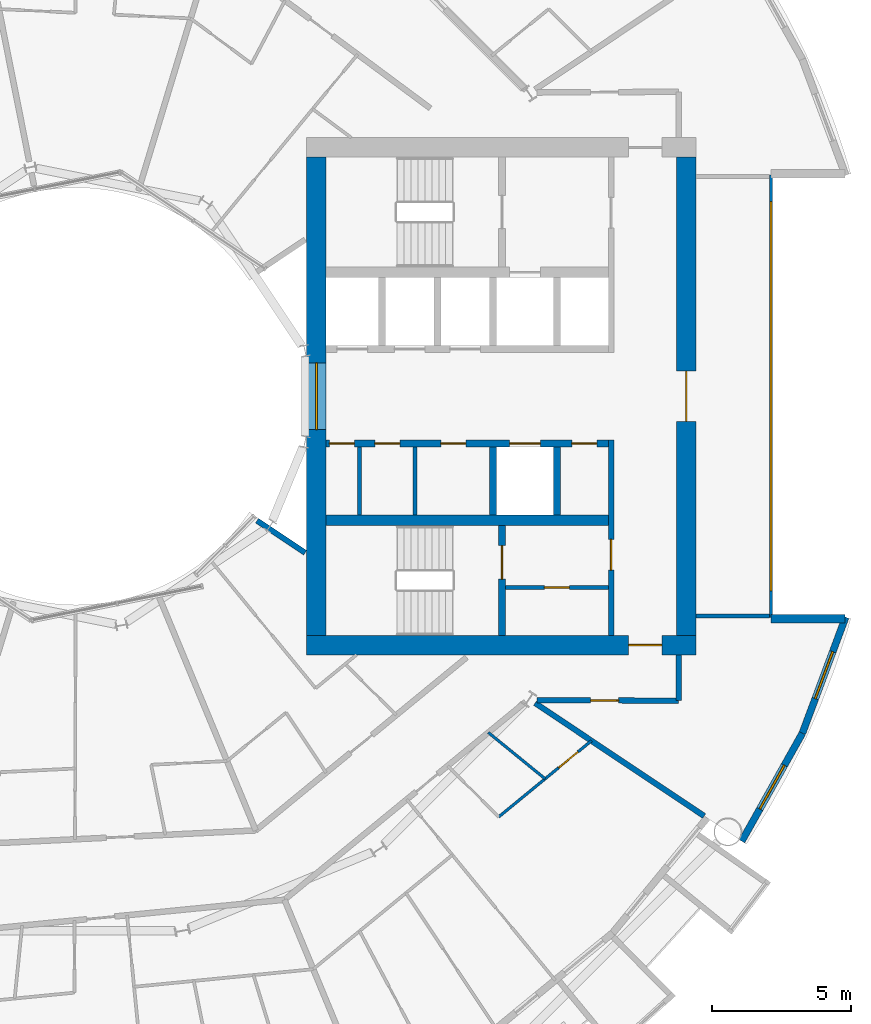
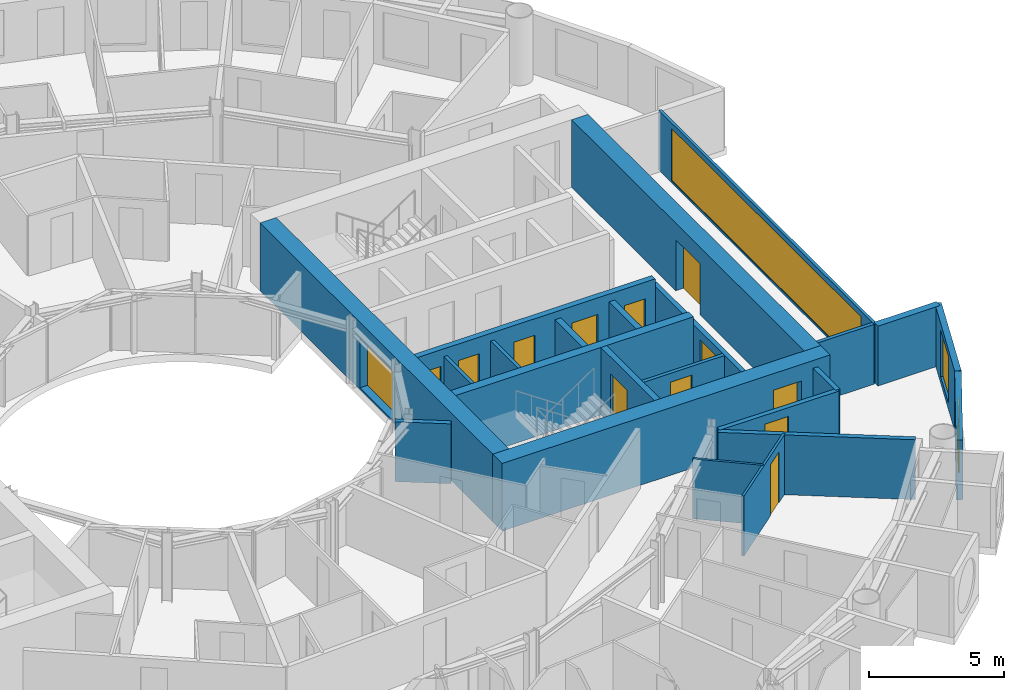
# One storey, part 17 of 26: 23 walls, 12 doors, 4 windows, 16 openings.
"""IFC4 building model written with IfcOpenShell, lengths in metres."""

from ifc_helpers import new_model, si_unit, direction, frame, frame_2d, origin, place, context, subcontext, project, spatial, rectangle, extrude, material, layer, layer_set, type_object, element, fill, save


model = new_model("IFC4")

# Units and contexts
model_context = context("Model", 3, precision=1e-05, world=origin(), true_north=direction((0.0, 1.0)))
body_context = subcontext(model_context, "Body", "Model", "MODEL_VIEW")
ifc_project = project(units=[si_unit("LENGTHUNIT", "METRE"), si_unit("AREAUNIT", "SQUARE_METRE"), si_unit("VOLUMEUNIT", "CUBIC_METRE"), si_unit("PLANEANGLEUNIT", "RADIAN"), si_unit("MASSUNIT", "GRAM", prefix="KILO")], contexts=[model_context])

# Site, building, storey
site_placement = place(None, origin())
site = spatial("IfcSite", under=ifc_project, at=site_placement, CompositionType="ELEMENT")
building_placement = place(site_placement, origin())
building = spatial("IfcBuilding", under=site, at=building_placement, Name="Maasbend Ring Residences", CompositionType="ELEMENT")
storey_placement = place(building_placement, frame((0.0, 0.0, 66.64990234375)))
storey = spatial("IfcBuildingStorey", under=building, at=storey_placement, Name="L18", CompositionType="ELEMENT", Elevation=66.64990234375)

# Wall, openings, doors
ifc_material_1 = material(Name="Concrete C70/85", Category="concrete")
ifc_layer_1 = layer(ifc_material_1, 0.25)
ifc_layer_set_1 = layer_set([ifc_layer_1], Name="Concrete C70/85")
wall_type_1 = type_object("IfcWallType", Name="CORE WALL 250 C70/85", PredefinedType="SHEAR", material=ifc_layer_set_1)
wall_1_placement = place(storey_placement, frame((19.14990234375, -1.699951171875, 0.0), z_axis=(0.0, 0.0, 1.0), x_axis=(-1.0, 0.0, 0.0)))
wall_1 = element("IfcWall", 1, at=wall_1_placement, inside=storey, type_object=wall_type_1, Name="L18 core E wall SPS", PredefinedType="SHEAR", context=body_context, shape_type="SweptSolid", body=[
    extrude(rectangle(XDim=10.14990234375, YDim=0.25, at=frame_2d((5.074951171875, 0.0))), origin(), (0.0, 0.0, 1.0), 3.050048828125),
])
opening_1_placement = place(wall_1_placement, frame((2.449951171875, 0.0, 0.0)))
opening_1 = element("IfcOpeningElement", 2, at=opening_1_placement, cuts=wall_1, Name="Opening LD-E1805", PredefinedType="OPENING", context=body_context, shape_type="SweptSolid", body=[
    extrude(rectangle(XDim=1.10009765625, YDim=2.300048828125, at=frame_2d((0.550048828125, 1.14990234375))), frame((0.0, 0.135009765625, 0.0), z_axis=(0.0, -1.0, 0.0), x_axis=(1.0, 0.0, 0.0)), (0.0, 0.0, 1.0), 0.27001953125),
])
opening_2_placement = place(wall_1_placement, frame((9.137451171875, 0.0, 0.0)))
opening_2 = element("IfcOpeningElement", 3, at=opening_2_placement, cuts=wall_1, Name="Opening D-E1806", PredefinedType="OPENING", context=body_context, shape_type="SweptSolid", body=[
    extrude(rectangle(XDim=0.89990234375, YDim=2.300048828125, at=frame_2d((0.449951171875, 1.14990234375))), frame((0.0, 0.135009765625, 0.0), z_axis=(0.0, -1.0, 0.0), x_axis=(1.0, 0.0, 0.0)), (0.0, 0.0, 1.0), 0.27001953125),
])
opening_3_placement = place(wall_1_placement, frame((7.5, 0.0, 0.0)))
opening_3 = element("IfcOpeningElement", 4, at=opening_3_placement, cuts=wall_1, Name="Opening D-E1807", PredefinedType="OPENING", context=body_context, shape_type="SweptSolid", body=[
    extrude(rectangle(XDim=0.89990234375, YDim=2.300048828125, at=frame_2d((0.449951171875, 1.14990234375))), frame((0.0, 0.135009765625, 0.0), z_axis=(0.0, -1.0, 0.0), x_axis=(1.0, 0.0, 0.0)), (0.0, 0.0, 1.0), 0.27001953125),
])
opening_4_placement = place(wall_1_placement, frame((5.125, 0.0, 0.0)))
opening_4 = element("IfcOpeningElement", 5, at=opening_4_placement, cuts=wall_1, Name="Opening D-E1808", PredefinedType="OPENING", context=body_context, shape_type="SweptSolid", body=[
    extrude(rectangle(XDim=0.89990234375, YDim=2.300048828125, at=frame_2d((0.449951171875, 1.14990234375))), frame((0.0, 0.135009765625, 0.0), z_axis=(0.0, -1.0, 0.0), x_axis=(1.0, 0.0, 0.0)), (0.0, 0.0, 1.0), 0.27001953125),
])
opening_5_placement = place(wall_1_placement, frame((0.41259765625, 0.0, 0.0)))
opening_5 = element("IfcOpeningElement", 6, at=opening_5_placement, cuts=wall_1, Name="Opening D-E1809", PredefinedType="OPENING", context=body_context, shape_type="SweptSolid", body=[
    extrude(rectangle(XDim=0.89990234375, YDim=2.300048828125, at=frame_2d((0.449951171875, 1.14990234375))), frame((0.0, 0.135009765625, 0.0), z_axis=(0.0, -1.0, 0.0), x_axis=(1.0, 0.0, 0.0)), (0.0, 0.0, 1.0), 0.27001953125),
])
ifc_material_2 = material(Name="Stainless steel 316", Category="steel")
door_type_1 = type_object("IfcDoorType", Name="LANDING DOOR 1100 X 2300 FD60", OperationType="DOUBLE_DOOR_SLIDING", PredefinedType="DOOR", material=ifc_material_2)
door_1_placement = place(opening_1_placement, origin())
door_1 = element("IfcDoor", 7, at=door_1_placement, inside=storey, type_object=door_type_1, Name="Landing door SV-E L18", OperationType="DOUBLE_DOOR_SLIDING", OverallHeight=2.300048828125, OverallWidth=1.10009765625, PredefinedType="DOOR", context=body_context, shape_type="SweptSolid", body=[
    extrude(rectangle(XDim=1.10009765625, YDim=2.300048828125, at=frame_2d((0.550048828125, 1.14990234375))), frame((0.0, 0.02490234375, 0.0), z_axis=(0.0, -1.0, 0.0), x_axis=(1.0, 0.0, 0.0)), (0.0, 0.0, 1.0), 0.050048828125),
])
fill(opening_1, door_1)
ifc_material_3 = material(Name="Steel, powder coated", Category="steel")
door_type_2 = type_object("IfcDoorType", Name="ROOM DOOR 900 X 2300 FD30S", OperationType="NOTDEFINED", PredefinedType="DOOR", material=ifc_material_3)
door_2_placement = place(opening_2_placement, origin())
door_2 = element("IfcDoor", 8, at=door_2_placement, inside=storey, type_object=door_type_2, Name="Room door L18", OperationType="SINGLE_SWING_LEFT", OverallHeight=2.300048828125, OverallWidth=0.89990234375, PredefinedType="DOOR", context=body_context, shape_type="SweptSolid", body=[
    extrude(rectangle(XDim=0.89990234375, YDim=2.300048828125, at=frame_2d((0.449951171875, 1.14990234375))), frame((0.0, 0.02490234375, 0.0), z_axis=(0.0, -1.0, 0.0), x_axis=(1.0, 0.0, 0.0)), (0.0, 0.0, 1.0), 0.050048828125),
])
fill(opening_2, door_2)
door_3_placement = place(opening_3_placement, origin())
door_3 = element("IfcDoor", 9, at=door_3_placement, inside=storey, type_object=door_type_2, Name="Room door L18", OperationType="SINGLE_SWING_LEFT", OverallHeight=2.300048828125, OverallWidth=0.89990234375, PredefinedType="DOOR", context=body_context, shape_type="SweptSolid", body=[
    extrude(rectangle(XDim=0.89990234375, YDim=2.300048828125, at=frame_2d((0.449951171875, 1.14990234375))), frame((0.0, 0.02490234375, 0.0), z_axis=(0.0, -1.0, 0.0), x_axis=(1.0, 0.0, 0.0)), (0.0, 0.0, 1.0), 0.050048828125),
])
fill(opening_3, door_3)
door_4_placement = place(opening_4_placement, origin())
door_4 = element("IfcDoor", 10, at=door_4_placement, inside=storey, type_object=door_type_2, Name="Room door L18", OperationType="SINGLE_SWING_LEFT", OverallHeight=2.300048828125, OverallWidth=0.89990234375, PredefinedType="DOOR", context=body_context, shape_type="SweptSolid", body=[
    extrude(rectangle(XDim=0.89990234375, YDim=2.300048828125, at=frame_2d((0.449951171875, 1.14990234375))), frame((0.0, 0.02490234375, 0.0), z_axis=(0.0, -1.0, 0.0), x_axis=(1.0, 0.0, 0.0)), (0.0, 0.0, 1.0), 0.050048828125),
])
fill(opening_4, door_4)
door_5_placement = place(opening_5_placement, origin())
door_5 = element("IfcDoor", 11, at=door_5_placement, inside=storey, type_object=door_type_2, Name="Room door L18", OperationType="SINGLE_SWING_RIGHT", OverallHeight=2.300048828125, OverallWidth=0.89990234375, PredefinedType="DOOR", context=body_context, shape_type="SweptSolid", body=[
    extrude(rectangle(XDim=0.89990234375, YDim=2.300048828125, at=frame_2d((0.449951171875, 1.14990234375))), frame((0.0, 0.02490234375, 0.0), z_axis=(0.0, -1.0, 0.0), x_axis=(1.0, 0.0, 0.0)), (0.0, 0.0, 1.0), 0.050048828125),
])
fill(opening_5, door_5)

# Wall, opening, door
wall_2_placement = place(storey_placement, frame((15.324951171875, -8.60009765625, 0.0), z_axis=(0.0, 0.0, 1.0), x_axis=(0.0, 1.0, 0.0)))
wall_2 = element("IfcWall", 12, at=wall_2_placement, inside=storey, type_object=wall_type_1, Name="L18 core E wall STES", PredefinedType="SHEAR", context=body_context, shape_type="SweptSolid", body=[
    extrude(rectangle(XDim=3.9501953125, YDim=0.25, at=frame_2d((1.97509765625, 0.0))), origin(), (0.0, 0.0, 1.0), 3.050048828125),
])
opening_6_placement = place(wall_2_placement, frame((2.02490234375, 0.0, 0.0)))
opening_6 = element("IfcOpeningElement", 13, at=opening_6_placement, cuts=wall_2, Name="Opening D-E1812", PredefinedType="OPENING", context=body_context, shape_type="SweptSolid", body=[
    extrude(rectangle(XDim=1.199951171875, YDim=2.300048828125, at=frame_2d((0.60009765625, 1.14990234375))), frame((0.0, 0.135009765625, 0.0), z_axis=(0.0, -1.0, 0.0), x_axis=(1.0, 0.0, 0.0)), (0.0, 0.0, 1.0), 0.27001953125),
])
ifc_material_4 = material(Name="Steel, powder coated", Category="steel")
door_type_3 = type_object("IfcDoorType", Name="STAIR DOOR 1200 X 2300 FD60", OperationType="NOTDEFINED", PredefinedType="DOOR", material=ifc_material_4)
door_6_placement = place(opening_6_placement, origin())
door_6 = element("IfcDoor", 14, at=door_6_placement, inside=storey, type_object=door_type_3, Name="Stair door ST-E L18", OperationType="SINGLE_SWING_LEFT", OverallHeight=2.300048828125, OverallWidth=1.199951171875, PredefinedType="DOOR", context=body_context, shape_type="SweptSolid", body=[
    extrude(rectangle(XDim=1.199951171875, YDim=2.300048828125, at=frame_2d((0.60009765625, 1.14990234375))), frame((0.0, 0.02490234375, 0.0), z_axis=(0.0, -1.0, 0.0), x_axis=(1.0, 0.0, 0.0)), (0.0, 0.0, 1.0), 0.050048828125),
])
fill(opening_6, door_6)

# Wall
ifc_material_5 = material(Name="Concrete C70/85", Category="concrete")
ifc_layer_2 = layer(ifc_material_5, 0.375)
ifc_layer_set_2 = layer_set([ifc_layer_2], Name="Concrete C70/85")
wall_type_2 = type_object("IfcWallType", Name="CORE WALL 375 C70/85", PredefinedType="SHEAR", material=ifc_layer_set_2)
wall_3_placement = place(storey_placement, frame((9.0, -4.46240234375, 0.0), z_axis=(0.0, 0.0, 1.0), x_axis=(1.0, 0.0, 0.0)))
element("IfcWall", 15, at=wall_3_placement, inside=storey, type_object=wall_type_2, Name="L18 core E wall BS", PredefinedType="SHEAR", context=body_context, shape_type="SweptSolid", body=[
    extrude(rectangle(XDim=10.14990234375, YDim=0.375, at=frame_2d((5.074951171875, 0.0))), origin(), (0.0, 0.0, 1.0), 3.050048828125),
])

# Wall, opening, door
ifc_material_6 = material(Name="Concrete C70/85", Category="concrete")
ifc_layer_3 = layer(ifc_material_6, 0.699951171875)
ifc_layer_set_3 = layer_set([ifc_layer_3], Name="Concrete C70/85")
wall_type_3 = type_object("IfcWallType", Name="CORE WALL 700 C70/85", PredefinedType="SHEAR", material=ifc_layer_set_3)
wall_4_placement = place(storey_placement, frame((8.300048828125, -8.949951171875, 0.0), z_axis=(0.0, 0.0, 1.0), x_axis=(1.0, 0.0, 0.0)))
wall_4 = element("IfcWall", 16, at=wall_4_placement, inside=storey, type_object=wall_type_3, Name="L18 core E wall PS", PredefinedType="SHEAR", context=body_context, shape_type="SweptSolid", body=[
    extrude(rectangle(XDim=14.0, YDim=0.699951171875, at=frame_2d((7.0, 0.0))), origin(), (0.0, 0.0, 1.0), 3.050048828125),
])
opening_7_placement = place(wall_4_placement, frame((11.574951171875, 0.0, 0.0)))
opening_7 = element("IfcOpeningElement", 17, at=opening_7_placement, cuts=wall_4, Name="Opening D-E1816", PredefinedType="OPENING", context=body_context, shape_type="SweptSolid", body=[
    extrude(rectangle(XDim=1.199951171875, YDim=2.300048828125, at=frame_2d((0.60009765625, 1.14990234375))), frame((0.0, 0.35986328125, 0.0), z_axis=(0.0, -1.0, 0.0), x_axis=(1.0, 0.0, 0.0)), (0.0, 0.0, 1.0), 0.719970703125),
])
ifc_material_7 = material(Name="Steel, powder coated", Category="steel")
door_type_4 = type_object("IfcDoorType", Name="CORRIDOR DOOR 1200 X 2300 FD30S", OperationType="NOTDEFINED", PredefinedType="DOOR", material=ifc_material_7)
door_7_placement = place(opening_7_placement, origin())
door_7 = element("IfcDoor", 18, at=door_7_placement, inside=storey, type_object=door_type_4, Name="Corridor door L18", OperationType="SINGLE_SWING_LEFT", OverallHeight=2.300048828125, OverallWidth=1.199951171875, PredefinedType="DOOR", context=body_context, shape_type="SweptSolid", body=[
    extrude(rectangle(XDim=1.199951171875, YDim=2.300048828125, at=frame_2d((0.60009765625, 1.14990234375))), frame((0.0, 0.02490234375, 0.0), z_axis=(0.0, -1.0, 0.0), x_axis=(1.0, 0.0, 0.0)), (0.0, 0.0, 1.0), 0.050048828125),
])
fill(opening_7, door_7)

wall_5_placement = place(storey_placement, frame((21.949951171875, 8.60009765625, 0.0), z_axis=(0.0, 0.0, 1.0), x_axis=(0.0, -1.0, 0.0)))
wall_5 = element("IfcWall", 19, at=wall_5_placement, inside=storey, type_object=wall_type_3, Name="L18 core E wall POUT", PredefinedType="SHEAR", context=body_context, shape_type="SweptSolid", body=[
    extrude(rectangle(XDim=17.2001953125, YDim=0.699951171875, at=frame_2d((8.60009765625, 0.0))), origin(), (0.0, 0.0, 1.0), 3.050048828125),
])
opening_8_placement = place(wall_5_placement, frame((7.699951171875, 0.0, 0.0)))
opening_8 = element("IfcOpeningElement", 20, at=opening_8_placement, cuts=wall_5, Name="Opening D-E1817", PredefinedType="OPENING", context=body_context, shape_type="SweptSolid", body=[
    extrude(rectangle(XDim=1.800048828125, YDim=2.300048828125, at=frame_2d((0.89990234375, 1.14990234375))), frame((0.0, 0.35986328125, 0.0), z_axis=(0.0, -1.0, 0.0), x_axis=(1.0, 0.0, 0.0)), (0.0, 0.0, 1.0), 0.719970703125),
])
ifc_material_8 = material(Name="Aluminium frame, clear glass", Category="aluminium")
door_type_5 = type_object("IfcDoorType", Name="ENTRANCE DOOR 1800 X 2300 FD60", OperationType="NOTDEFINED", PredefinedType="DOOR", material=ifc_material_8)
door_8_placement = place(opening_8_placement, origin())
door_8 = element("IfcDoor", 21, at=door_8_placement, inside=storey, type_object=door_type_5, Name="Lobby glazed door L18", OperationType="SINGLE_SWING_LEFT", OverallHeight=2.300048828125, OverallWidth=1.800048828125, PredefinedType="DOOR", context=body_context, shape_type="SweptSolid", body=[
    extrude(rectangle(XDim=1.800048828125, YDim=2.300048828125, at=frame_2d((0.89990234375, 1.14990234375))), frame((0.0, 0.02490234375, 0.0), z_axis=(0.0, -1.0, 0.0), x_axis=(1.0, 0.0, 0.0)), (0.0, 0.0, 1.0), 0.050048828125),
])
fill(opening_8, door_8)

# Wall, opening, window
wall_6_placement = place(storey_placement, frame((8.64990234375, -8.60009765625, 0.0), z_axis=(0.0, 0.0, 1.0), x_axis=(0.0, 1.0, 0.0)))
wall_6 = element("IfcWall", 22, at=wall_6_placement, inside=storey, type_object=wall_type_3, Name="L18 core E wall PIN", PredefinedType="SHEAR", context=body_context, shape_type="SweptSolid", body=[
    extrude(rectangle(XDim=17.2001953125, YDim=0.699951171875, at=frame_2d((8.60009765625, 0.0))), origin(), (0.0, 0.0, 1.0), 3.050048828125),
])
opening_9_placement = place(wall_6_placement, frame((7.39990234375, 0.0, 0.10009765625)))
opening_9 = element("IfcOpeningElement", 23, at=opening_9_placement, cuts=wall_6, Name="Opening W-E1801", PredefinedType="OPENING", context=body_context, shape_type="SweptSolid", body=[
    extrude(rectangle(XDim=2.39990234375, YDim=2.199951171875, at=frame_2d((1.199951171875, 1.10009765625))), frame((0.0, 0.35986328125, 0.0), z_axis=(0.0, -1.0, 0.0), x_axis=(1.0, 0.0, 0.0)), (0.0, 0.0, 1.0), 0.719970703125),
])
ifc_material_9 = material(Name="Aluminium frame and clear glass", Category="aluminium")
window_type_1 = type_object("IfcWindowType", Name="FIXED WINDOW 2400 X 2200", PartitioningType="SINGLE_PANEL", PredefinedType="WINDOW", material=ifc_material_9)
window_1_placement = place(opening_9_placement, origin())
window_1 = element("IfcWindow", 24, at=window_1_placement, inside=storey, type_object=window_type_1, Name="Lobby window L18", OverallHeight=2.199951171875, OverallWidth=2.39990234375, PartitioningType="SINGLE_PANEL", PredefinedType="WINDOW", context=body_context, shape_type="SweptSolid", body=[
    extrude(rectangle(XDim=2.39990234375, YDim=2.199951171875, at=frame_2d((1.199951171875, 1.10009765625))), frame((0.0, 0.030029296875, 0.0), z_axis=(0.0, -1.0, 0.0), x_axis=(1.0, 0.0, 0.0)), (0.0, 0.0, 1.0), 0.06005859375),
])
fill(opening_9, window_1)

# Wall
ifc_material_10 = material(Name="Concrete C30/37", Category="concrete")
ifc_layer_4 = layer(ifc_material_10, 0.199951171875)
ifc_layer_set_4 = layer_set([ifc_layer_4], Name="Concrete C30/37")
wall_type_4 = type_object("IfcWallType", Name="CORRIDOR WALL 200 CONCRETE", PredefinedType="PARTITIONING", material=ifc_layer_set_4)
wall_7_placement = place(storey_placement, frame((21.675048828125, -10.949951171875, 0.0), z_axis=(0.0, 0.0, 1.0), x_axis=(0.0, 1.0, 0.0)))
element("IfcWall", 25, at=wall_7_placement, inside=storey, type_object=wall_type_4, Name="U-L18-w005", PredefinedType="PARTITIONING", context=body_context, shape_type="SweptSolid", body=[
    extrude(rectangle(XDim=1.64990234375, YDim=0.199951171875, at=frame_2d((0.824951171875, 0.0))), origin(), (0.0, 0.0, 1.0), 2.7001953125),
])

# Wall, opening, door
wall_8_placement = place(storey_placement, frame((16.5869140625, -10.926025390625, 0.0), z_axis=(0.0, 0.0, 1.0), x_axis=(0.999988944514, -0.004702217579, 0.0)))
wall_8 = element("IfcWall", 26, at=wall_8_placement, inside=storey, type_object=wall_type_4, Name="U-L18-w024", PredefinedType="PARTITIONING", context=body_context, shape_type="SweptSolid", body=[
    extrude(rectangle(XDim=5.088134765625, YDim=0.199951171875, at=frame_2d((2.5439453125, 0.0))), origin(), (0.0, 0.0, 1.0), 2.7001953125),
])
opening_10_placement = place(wall_8_placement, frame((1.927001953125, 0.0, 0.0)))
opening_10 = element("IfcOpeningElement", 27, at=opening_10_placement, cuts=wall_8, Name="Opening D-1872", PredefinedType="OPENING", context=body_context, shape_type="SweptSolid", body=[
    extrude(rectangle(XDim=1.0, YDim=2.300048828125, at=frame_2d((0.5, 1.14990234375))), frame((0.0, 0.10986328125, 0.0), z_axis=(0.0, -1.0, 0.0), x_axis=(1.0, 0.0, 0.0)), (0.0, 0.0, 1.0), 0.219970703125),
])
ifc_material_11 = material(Name="Timber, painted", Category="wood")
door_type_6 = type_object("IfcDoorType", Name="ROOM DOOR 1000 X 2300", OperationType="NOTDEFINED", PredefinedType="DOOR", material=ifc_material_11)
door_9_placement = place(opening_10_placement, origin())
door_9 = element("IfcDoor", 28, at=door_9_placement, inside=storey, type_object=door_type_6, Name="D-1872", OperationType="SINGLE_SWING_LEFT", OverallHeight=2.300048828125, OverallWidth=1.0, PredefinedType="DOOR", context=body_context, shape_type="SweptSolid", body=[
    extrude(rectangle(XDim=1.0, YDim=2.300048828125, at=frame_2d((0.5, 1.14990234375))), frame((0.0, 0.02490234375, 0.0), z_axis=(0.0, -1.0, 0.0), x_axis=(1.0, 0.0, 0.0)), (0.0, 0.0, 1.0), 0.050048828125),
])
fill(opening_10, door_9)

# Wall, opening, window
ifc_material_12 = material(Name="Aluminium clad insulated panel", Category="aluminium")
ifc_layer_5 = layer(ifc_material_12, 0.25)
ifc_layer_set_5 = layer_set([ifc_layer_5], Name="EW-HORN")
wall_type_5 = type_object("IfcWallType", Name="EW-HORN", PredefinedType="SOLIDWALL", material=ifc_layer_set_5)
wall_9_placement = place(storey_placement, frame((23.946044921875, -16.0, 0.0), z_axis=(0.0, 0.0, 1.0), x_axis=(0.489696356642, 0.871893042919, 0.0)))
wall_9 = element("IfcWall", 29, at=wall_9_placement, inside=storey, type_object=wall_type_5, Name="Horn wall 2.1", PredefinedType="SOLIDWALL", context=body_context, shape_type="SweptSolid", body=[
    extrude(rectangle(XDim=4.45361328125, YDim=0.25, at=frame_2d((2.226806640625, 0.0))), origin(), (0.0, 0.0, 1.0), 2.7001953125),
])
opening_11_placement = place(wall_9_placement, frame((1.32666015625, 0.0, 0.300048828125)))
opening_11 = element("IfcOpeningElement", 30, at=opening_11_placement, cuts=wall_9, Name="Opening W-BX", PredefinedType="OPENING", context=body_context, shape_type="SweptSolid", body=[
    extrude(rectangle(XDim=1.800048828125, YDim=2.10009765625, at=frame_2d((0.89990234375, 1.050048828125))), frame((0.0, 0.135009765625, 0.0), z_axis=(0.0, -1.0, 0.0), x_axis=(1.0, 0.0, 0.0)), (0.0, 0.0, 1.0), 0.27001953125),
])
ifc_material_13 = material(Name="Aluminium and clear glass", Category="aluminium")
window_type_2 = type_object("IfcWindowType", Name="W-BX", PartitioningType="DOUBLE_PANEL_VERTICAL", PredefinedType="WINDOW", material=ifc_material_13)
window_2_placement = place(opening_11_placement, origin())
window_2 = element("IfcWindow", 31, at=window_2_placement, inside=storey, type_object=window_type_2, Name="Horn window 2.1", OverallHeight=2.10009765625, OverallWidth=1.800048828125, PartitioningType="SINGLE_PANEL", PredefinedType="WINDOW", context=body_context, shape_type="SweptSolid", body=[
    extrude(rectangle(XDim=1.800048828125, YDim=2.10009765625, at=frame_2d((0.89990234375, 1.050048828125))), frame((0.0, 0.030029296875, 0.0), z_axis=(0.0, -1.0, 0.0), x_axis=(1.0, 0.0, 0.0)), (0.0, 0.0, 1.0), 0.06005859375),
])
fill(opening_11, window_2)

wall_10_placement = place(storey_placement, frame((26.126953125, -12.116943359375, 0.0), z_axis=(0.0, 0.0, 1.0), x_axis=(0.349247811493, 0.937030397675, 0.0)))
wall_10 = element("IfcWall", 32, at=wall_10_placement, inside=storey, type_object=wall_type_5, Name="Horn wall 2.2", PredefinedType="SOLIDWALL", context=body_context, shape_type="SweptSolid", body=[
    extrude(rectangle(XDim=4.4521484375, YDim=0.25, at=frame_2d((2.22607421875, 0.0))), origin(), (0.0, 0.0, 1.0), 2.7001953125),
])
opening_12_placement = place(wall_10_placement, frame((1.32666015625, 0.0, 0.300048828125)))
opening_12 = element("IfcOpeningElement", 33, at=opening_12_placement, cuts=wall_10, Name="Opening W-BX", PredefinedType="OPENING", context=body_context, shape_type="SweptSolid", body=[
    extrude(rectangle(XDim=1.800048828125, YDim=2.10009765625, at=frame_2d((0.89990234375, 1.050048828125))), frame((0.0, 0.135009765625, 0.0), z_axis=(0.0, -1.0, 0.0), x_axis=(1.0, 0.0, 0.0)), (0.0, 0.0, 1.0), 0.27001953125),
])
window_3_placement = place(opening_12_placement, origin())
window_3 = element("IfcWindow", 34, at=window_3_placement, inside=storey, type_object=window_type_2, Name="Horn window 2.2", OverallHeight=2.10009765625, OverallWidth=1.800048828125, PartitioningType="SINGLE_PANEL", PredefinedType="WINDOW", context=body_context, shape_type="SweptSolid", body=[
    extrude(rectangle(XDim=1.800048828125, YDim=2.10009765625, at=frame_2d((0.89990234375, 1.050048828125))), frame((0.0, 0.030029296875, 0.0), z_axis=(0.0, -1.0, 0.0), x_axis=(1.0, 0.0, 0.0)), (0.0, 0.0, 1.0), 0.06005859375),
])
fill(opening_12, window_3)

# Wall
ifc_material_14 = material(Name="Aluminium clad insulated panel", Category="aluminium")
ifc_layer_6 = layer(ifc_material_14, 0.300048828125)
ifc_layer_set_6 = layer_set([ifc_layer_6], Name="EW-RET")
wall_type_6 = type_object("IfcWallType", Name="EW-RET", PredefinedType="SOLIDWALL", material=ifc_layer_set_6)
wall_11_placement = place(storey_placement, frame((25.0, -8.0, 0.0), z_axis=(0.0, 0.0, 1.0), x_axis=(1.0, 0.0, 0.0)))
element("IfcWall", 35, at=wall_11_placement, inside=storey, type_object=wall_type_6, Name="Notch return wall east south", PredefinedType="SOLIDWALL", context=body_context, shape_type="SweptSolid", body=[
    extrude(rectangle(XDim=2.6669921875, YDim=0.300048828125, at=frame_2d((1.33349609375, 0.0))), origin(), (0.0, 0.0, 1.0), 2.7001953125),
])

# Wall, opening, window
ifc_material_15 = material(Name="Aluminium frame and clear glass", Category="aluminium")
ifc_layer_7 = layer(ifc_material_15, 0.1201171875)
ifc_layer_set_7 = layer_set([ifc_layer_7], Name="GLAZED SCREEN WALL 120 EI 60")
wall_type_7 = type_object("IfcWallType", Name="GLAZED SCREEN WALL 120 EI 60", PredefinedType="PARTITIONING", material=ifc_layer_set_7)
wall_12_placement = place(storey_placement, frame((25.0, -7.949951171875, 0.0), z_axis=(0.0, 0.0, 1.0), x_axis=(0.0, 1.0, 0.0)))
wall_12 = element("IfcWall", 36, at=wall_12_placement, inside=storey, type_object=wall_type_7, Name="L18 core E wall FACE", PredefinedType="PARTITIONING", context=body_context, shape_type="SweptSolid", body=[
    extrude(rectangle(XDim=15.89990234375, YDim=0.1201171875, at=frame_2d((7.949951171875, 0.0))), origin(), (0.0, 0.0, 1.0), 2.7001953125),
])
opening_13_placement = place(wall_12_placement, frame((0.949951171875, 0.0, 0.10009765625)))
opening_13 = element("IfcOpeningElement", 37, at=opening_13_placement, cuts=wall_12, Name="Opening W-E1802", PredefinedType="OPENING", context=body_context, shape_type="SweptSolid", body=[
    extrude(rectangle(XDim=14.0, YDim=2.35009765625, at=frame_2d((7.0, 1.175048828125))), frame((0.0, 0.070068359375, 0.0), z_axis=(0.0, -1.0, 0.0), x_axis=(1.0, 0.0, 0.0)), (0.0, 0.0, 1.0), 0.14013671875),
])
ifc_material_16 = material(Name="Aluminium frame and clear glass", Category="aluminium")
window_type_3 = type_object("IfcWindowType", Name="FIXED WINDOW 14000 X 2350", PartitioningType="SINGLE_PANEL", PredefinedType="WINDOW", material=ifc_material_16)
window_4_placement = place(opening_13_placement, origin())
window_4 = element("IfcWindow", 38, at=window_4_placement, inside=storey, type_object=window_type_3, Name="Lobby window L18", OverallHeight=2.35009765625, OverallWidth=14.0, PartitioningType="SINGLE_PANEL", PredefinedType="WINDOW", context=body_context, shape_type="SweptSolid", body=[
    extrude(rectangle(XDim=14.0, YDim=2.35009765625, at=frame_2d((7.0, 1.175048828125))), frame((0.0, 0.030029296875, 0.0), z_axis=(0.0, -1.0, 0.0), x_axis=(1.0, 0.0, 0.0)), (0.0, 0.0, 1.0), 0.06005859375),
])
fill(opening_13, window_4)

# Wall, opening, door
ifc_material_17 = material(Name="Gypsum board on steel studs", Category="steel")
ifc_layer_8 = layer(ifc_material_17, 0.10009765625)
ifc_layer_set_8 = layer_set([ifc_layer_8], Name="PARTITION 100 GYPSUM")
wall_type_8 = type_object("IfcWallType", Name="PARTITION 100 GYPSUM", PredefinedType="PARTITIONING", material=ifc_layer_set_8)
wall_13_placement = place(storey_placement, frame((15.2060546875, -15.126953125, 0.0), z_axis=(0.0, 0.0, 1.0), x_axis=(0.772975913823, 0.634435368379, 0.0)))
wall_13 = element("IfcWall", 39, at=wall_13_placement, inside=storey, type_object=wall_type_8, Name="U-L18-w010", PredefinedType="PARTITIONING", context=body_context, shape_type="SweptSolid", body=[
    extrude(rectangle(XDim=4.315673828125, YDim=0.10009765625, at=frame_2d((2.15771484375, 0.0))), origin(), (0.0, 0.0, 1.0), 2.7001953125),
])
opening_14_placement = place(wall_13_placement, frame((2.787109375, 0.0, 0.0)))
opening_14 = element("IfcOpeningElement", 40, at=opening_14_placement, cuts=wall_13, Name="Opening D-1851", PredefinedType="OPENING", context=body_context, shape_type="SweptSolid", body=[
    extrude(rectangle(XDim=0.89990234375, YDim=2.300048828125, at=frame_2d((0.449951171875, 1.14990234375))), frame((0.0, 0.06005859375, 0.0), z_axis=(0.0, -1.0, 0.0), x_axis=(1.0, 0.0, 0.0)), (0.0, 0.0, 1.0), 0.1201171875),
])
ifc_material_18 = material(Name="Timber, painted", Category="wood")
door_type_7 = type_object("IfcDoorType", Name="INTERNAL DOOR 900 X 2300", OperationType="NOTDEFINED", PredefinedType="DOOR", material=ifc_material_18)
door_10_placement = place(opening_14_placement, origin())
door_10 = element("IfcDoor", 41, at=door_10_placement, inside=storey, type_object=door_type_7, Name="D-1851", OperationType="SINGLE_SWING_RIGHT", OverallHeight=2.300048828125, OverallWidth=0.89990234375, PredefinedType="DOOR", context=body_context, shape_type="SweptSolid", body=[
    extrude(rectangle(XDim=0.89990234375, YDim=2.300048828125, at=frame_2d((0.449951171875, 1.14990234375))), frame((0.0, 0.02490234375, 0.0), z_axis=(0.0, -1.0, 0.0), x_axis=(1.0, 0.0, 0.0)), (0.0, 0.0, 1.0), 0.050048828125),
])
fill(opening_14, door_10)

# Walls
wall_14_placement = place(storey_placement, frame((14.8310546875, -12.092041015625, 0.0), z_axis=(0.0, 0.0, 1.0), x_axis=(0.774979608522, -0.631986239072, 0.0)))
element("IfcWall", 42, at=wall_14_placement, inside=storey, type_object=wall_type_8, Name="U-L18-w085", PredefinedType="PARTITIONING", context=body_context, shape_type="SweptSolid", body=[
    extrude(rectangle(XDim=2.63623046875, YDim=0.10009765625, at=frame_2d((1.318115234375, 0.0))), origin(), (0.0, 0.0, 1.0), 2.7001953125),
])
ifc_material_19 = material(Name="Gypsum board on steel studs", Category="steel")
ifc_layer_9 = layer(ifc_material_19, 0.14990234375)
ifc_layer_set_9 = layer_set([ifc_layer_9], Name="PARTITION 150 EI 60")
wall_type_9 = type_object("IfcWallType", Name="PARTITION 150 EI 60", PredefinedType="PARTITIONING", material=ifc_layer_set_9)
for number, where, z_axis, x_axis, name in (
    (43, (10.199951171875, -1.824951171875, 0.0), (0.0, 0.0, 1.0), (0.0, -1.0, 0.0), "L18 core E wall PRS1020"),
    (44, (12.199951171875, -1.824951171875, 0.0), (0.0, 0.0, 1.0), (0.0, -1.0, 0.0), "L18 core E wall PRS1220"),
):
    element("IfcWall", number, at=place(storey_placement, frame(where, z_axis=z_axis, x_axis=x_axis)), inside=storey, type_object=wall_type_9, Name=name, PredefinedType="PARTITIONING", context=body_context, shape_type="SweptSolid", body=[
        extrude(rectangle(XDim=2.449951171875, YDim=0.14990234375, at=frame_2d((1.22509765625, 0.0))), origin(), (0.0, 0.0, 1.0), 2.7001953125),
    ])

# Wall, opening, door
wall_15_placement = place(storey_placement, frame((15.449951171875, -6.875, 0.0), z_axis=(0.0, 0.0, 1.0), x_axis=(1.0, 0.0, 0.0)))
wall_15 = element("IfcWall", 45, at=wall_15_placement, inside=storey, type_object=wall_type_9, Name="L18 core E wall RHS", PredefinedType="PARTITIONING", context=body_context, shape_type="SweptSolid", body=[
    extrude(rectangle(XDim=3.699951171875, YDim=0.14990234375, at=frame_2d((1.85009765625, 0.0))), origin(), (0.0, 0.0, 1.0), 2.7001953125),
])
opening_15_placement = place(wall_15_placement, frame((1.39990234375, 0.0, 0.0)))
opening_15 = element("IfcOpeningElement", 46, at=opening_15_placement, cuts=wall_15, Name="Opening D-E1810", PredefinedType="OPENING", context=body_context, shape_type="SweptSolid", body=[
    extrude(rectangle(XDim=0.89990234375, YDim=2.300048828125, at=frame_2d((0.449951171875, 1.14990234375))), frame((0.0, 0.0849609375, 0.0), z_axis=(0.0, -1.0, 0.0), x_axis=(1.0, 0.0, 0.0)), (0.0, 0.0, 1.0), 0.169921875),
])
ifc_material_20 = material(Name="Steel, powder coated", Category="steel")
door_type_8 = type_object("IfcDoorType", Name="RISER DOOR 900 X 2300 FD60", OperationType="NOTDEFINED", PredefinedType="DOOR", material=ifc_material_20)
door_11_placement = place(opening_15_placement, origin())
door_11 = element("IfcDoor", 47, at=door_11_placement, inside=storey, type_object=door_type_8, Name="Riser door L18", OperationType="SINGLE_SWING_LEFT", OverallHeight=2.300048828125, OverallWidth=0.89990234375, PredefinedType="DOOR", context=body_context, shape_type="SweptSolid", body=[
    extrude(rectangle(XDim=0.89990234375, YDim=2.300048828125, at=frame_2d((0.449951171875, 1.14990234375))), frame((0.0, 0.02490234375, 0.0), z_axis=(0.0, -1.0, 0.0), x_axis=(1.0, 0.0, 0.0)), (0.0, 0.0, 1.0), 0.050048828125),
])
fill(opening_15, door_11)

# Walls
wall_16_placement = place(storey_placement, frame((22.300048828125, -7.89990234375, 0.0), z_axis=(0.0, 0.0, 1.0), x_axis=(1.0, 0.0, 0.0)))
element("IfcWall", 48, at=wall_16_placement, inside=storey, type_object=wall_type_9, Name="L18 core E wall CITS", PredefinedType="PARTITIONING", context=body_context, shape_type="SweptSolid", body=[
    extrude(rectangle(XDim=2.639892578125, YDim=0.14990234375, at=frame_2d((1.31982421875, 0.0))), origin(), (0.0, 0.0, 1.0), 2.7001953125),
])
ifc_material_21 = material(Name="Concrete C30/37", Category="concrete")
ifc_layer_10 = layer(ifc_material_21, 0.199951171875)
ifc_layer_set_10 = layer_set([ifc_layer_10], Name="Concrete C30/37")
wall_type_10 = type_object("IfcWallType", Name="PARTY WALL 200 CONCRETE", PredefinedType="PARTITIONING", material=ifc_layer_set_10)
wall_17_placement = place(storey_placement, frame((6.512939453125, -4.471923828125, 0.0), z_axis=(0.0, 0.0, 1.0), x_axis=(0.831382204863, -0.555701025225, 0.0)))
element("IfcWall", 49, at=wall_17_placement, inside=storey, type_object=wall_type_10, Name="U-L18-w027", PredefinedType="PARTITIONING", context=body_context, shape_type="SweptSolid", body=[
    extrude(rectangle(XDim=2.08203125, YDim=0.199951171875, at=frame_2d((1.041015625, 0.0))), origin(), (0.0, 0.0, 1.0), 2.7001953125),
])
wall_18_placement = place(storey_placement, frame((16.514892578125, -11.034912109375, 0.0), z_axis=(0.0, 0.0, 1.0), x_axis=(0.831505405283, -0.555516661303, 0.0)))
element("IfcWall", 50, at=wall_18_placement, inside=storey, type_object=wall_type_10, Name="U-L18-w088", PredefinedType="PARTITIONING", context=body_context, shape_type="SweptSolid", body=[
    extrude(rectangle(XDim=7.31201171875, YDim=0.199951171875, at=frame_2d((3.656005859375, 0.0))), origin(), (0.0, 0.0, 1.0), 2.7001953125),
])

# Wall, opening, door
ifc_material_22 = material(Name="Concrete C30/37", Category="concrete")
ifc_layer_11 = layer(ifc_material_22, 0.199951171875)
ifc_layer_set_11 = layer_set([ifc_layer_11], Name="Concrete C30/37")
wall_type_11 = type_object("IfcWallType", Name="SHAFT WALL 200 EI 120", PredefinedType="SOLIDWALL", material=ifc_layer_set_11)
wall_19_placement = place(storey_placement, frame((19.25, -8.60009765625, 0.0), z_axis=(0.0, 0.0, 1.0), x_axis=(0.0, 1.0, 0.0)))
wall_19 = element("IfcWall", 51, at=wall_19_placement, inside=storey, type_object=wall_type_11, Name="L18 core E wall ENDS", PredefinedType="SOLIDWALL", context=body_context, shape_type="SweptSolid", body=[
    extrude(rectangle(XDim=7.025146484375, YDim=0.199951171875, at=frame_2d((3.5126953125, 0.0))), origin(), (0.0, 0.0, 1.0), 2.7001953125),
])
opening_16_placement = place(wall_19_placement, frame((2.35009765625, 0.0, 0.0)))
opening_16 = element("IfcOpeningElement", 52, at=opening_16_placement, cuts=wall_19, Name="Opening D-E1814", PredefinedType="OPENING", context=body_context, shape_type="SweptSolid", body=[
    extrude(rectangle(XDim=1.10009765625, YDim=2.300048828125, at=frame_2d((0.550048828125, 1.14990234375))), frame((0.0, 0.10986328125, 0.0), z_axis=(0.0, -1.0, 0.0), x_axis=(1.0, 0.0, 0.0)), (0.0, 0.0, 1.0), 0.219970703125),
])
ifc_material_23 = material(Name="Steel, powder coated", Category="steel")
door_type_9 = type_object("IfcDoorType", Name="LOBBY DOOR 1100 X 2300 FD60", OperationType="NOTDEFINED", PredefinedType="DOOR", material=ifc_material_23)
door_12_placement = place(opening_16_placement, origin())
door_12 = element("IfcDoor", 53, at=door_12_placement, inside=storey, type_object=door_type_9, Name="Lobby door L18", OperationType="SINGLE_SWING_RIGHT", OverallHeight=2.300048828125, OverallWidth=1.10009765625, PredefinedType="DOOR", context=body_context, shape_type="SweptSolid", body=[
    extrude(rectangle(XDim=1.10009765625, YDim=2.300048828125, at=frame_2d((0.550048828125, 1.14990234375))), frame((0.0, 0.02490234375, 0.0), z_axis=(0.0, -1.0, 0.0), x_axis=(1.0, 0.0, 0.0)), (0.0, 0.0, 1.0), 0.050048828125),
])
fill(opening_16, door_12)

# Walls
ifc_material_24 = material(Name="Concrete C30/37", Category="concrete")
ifc_layer_12 = layer(ifc_material_24, 0.25)
ifc_layer_set_12 = layer_set([ifc_layer_12], Name="Concrete C30/37")
wall_type_12 = type_object("IfcWallType", Name="SHAFT WALL 250 EI 120", PredefinedType="SOLIDWALL", material=ifc_layer_set_12)
for number, where, z_axis, x_axis, name in (
    (54, (15.0, -1.824951171875, 0.0), (0.0, 0.0, 1.0), (0.0, -1.0, 0.0), "L18 core E wall D150S"),
    (55, (17.300048828125, -1.824951171875, 0.0), (0.0, 0.0, 1.0), (0.0, -1.0, 0.0), "L18 core E wall D173S"),
):
    element("IfcWall", number, at=place(storey_placement, frame(where, z_axis=z_axis, x_axis=x_axis)), inside=storey, type_object=wall_type_12, Name=name, PredefinedType="SOLIDWALL", context=body_context, shape_type="SweptSolid", body=[
        extrude(rectangle(XDim=2.449951171875, YDim=0.25, at=frame_2d((1.22509765625, 0.0))), origin(), (0.0, 0.0, 1.0), 2.7001953125),
    ])

save(model, "model.ifc")
